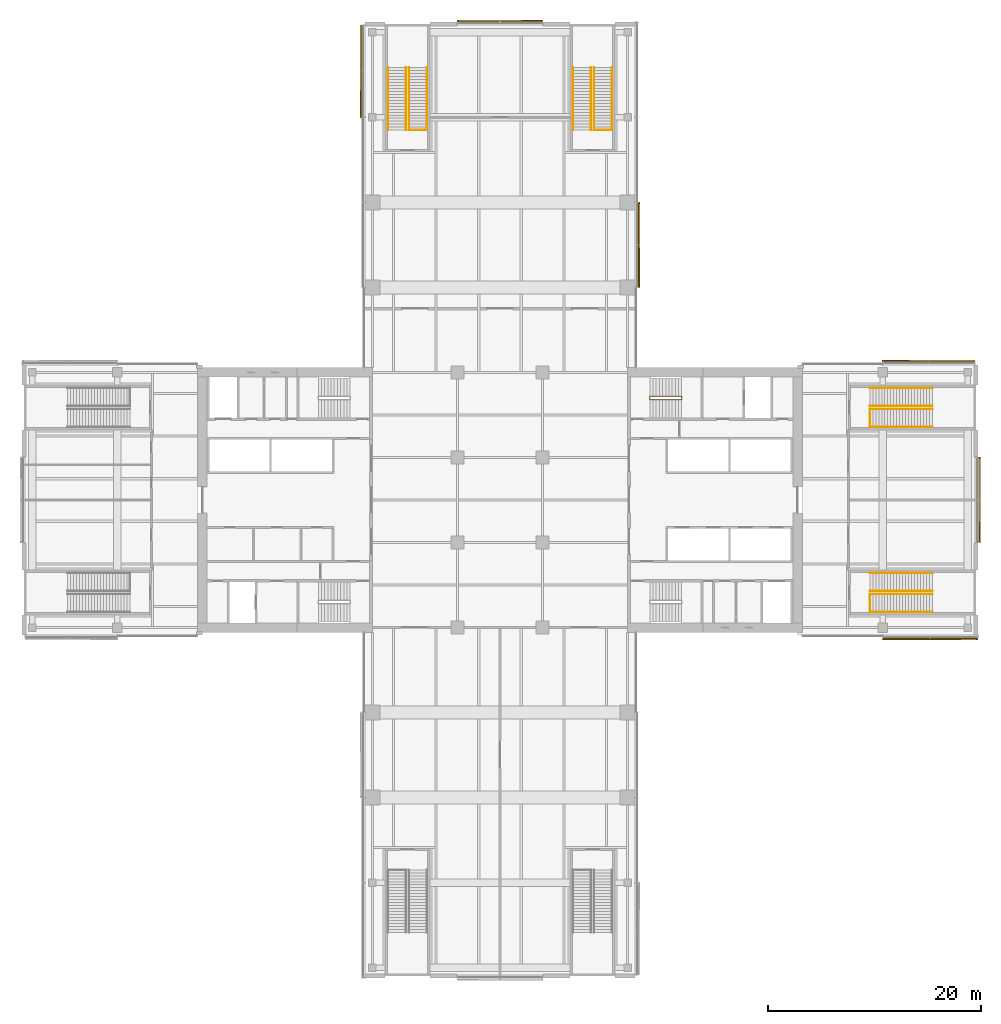
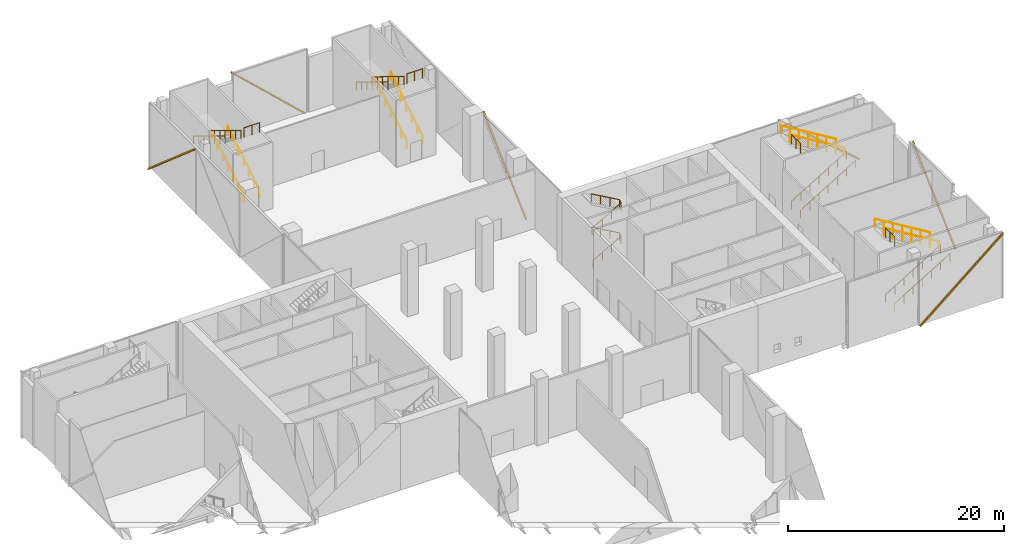
# One storey, part 25 of 25: 21 railings, 6 shading devices, 6 elements without a shape of their own.
"""IFC4 building model written with IfcOpenShell, lengths in metres."""

from ifc_helpers import new_model, si_unit, direction, frame, origin, origin_2d, place, context, subcontext, project, spatial, rectangle, circle, extrude, material, material_profile, profile_set, type_object, element, aggregate, save


model = new_model("IFC4")

# Units and contexts
model_context = context("Model", 3, precision=1e-05, world=origin(), true_north=direction((0.0, 1.0)))
body_context = subcontext(model_context, "Body", "Model", "MODEL_VIEW")
ifc_project = project(units=[si_unit("LENGTHUNIT", "METRE"), si_unit("AREAUNIT", "SQUARE_METRE"), si_unit("VOLUMEUNIT", "CUBIC_METRE"), si_unit("PLANEANGLEUNIT", "RADIAN"), si_unit("MASSUNIT", "GRAM", prefix="KILO")], contexts=[model_context])

# Site, building, storey
site_placement = place(None, origin())
site = spatial("IfcSite", under=ifc_project, at=site_placement, CompositionType="ELEMENT")
building_placement = place(site_placement, origin())
building = spatial("IfcBuilding", under=site, at=building_placement, Name="Crosswind Convention Tower", CompositionType="ELEMENT")
storey_placement = place(building_placement, frame((0.0, 0.0, 34.0)))
storey = spatial("IfcBuildingStorey", under=building, at=storey_placement, Name="L04", CompositionType="ELEMENT", Elevation=34.0)

# Railings
ifc_material_1 = material(Name="Stainless steel", Category="steel")
railing_type_1 = type_object("IfcRailingType", Name="STAIR GUARD 1100", PredefinedType="GUARDRAIL", material=ifc_material_1)
for number, where, name in (
    (1, (159.800048828125, 89.4599609375, 7.5), "Stair guard E1 L04"),
    (2, (159.800048828125, 106.860107421875, 7.5), "Stair guard E2 L04"),
):
    element("IfcRailing", number, at=place(storey_placement, frame(where)), inside=storey, type_object=railing_type_1, Name=name, PredefinedType="GUARDRAIL", context=body_context, shape_type="SweptSolid", body=[
        extrude(circle(Radius=0.02392578125, at=origin_2d()), frame((0.0, 0.0, 1.076171875), z_axis=(0.0, 1.0, 0.0), x_axis=(-1.0, 0.0, 0.0)), (0.0, 0.0, 1.0), 1.679931640625),
        extrude(circle(Radius=0.02099609375, at=origin_2d()), origin(), (0.0, 0.0, 1.0), 1.052001953125),
        extrude(circle(Radius=0.02099609375, at=origin_2d()), frame((0.0, 0.83984375, 0.0)), (0.0, 0.0, 1.0), 1.052001953125),
        extrude(circle(Radius=0.02099609375, at=origin_2d()), frame((0.0, 1.679931640625, 0.0)), (0.0, 0.0, 1.0), 1.052001953125),
    ])
for number, where, name in (
    (3, (118.139892578125, 134.800048828125, 7.5), "Stair guard N1 L04"),
    (4, (135.5400390625, 134.800048828125, 7.5), "Stair guard N2 L04"),
):
    element("IfcRailing", number, at=place(storey_placement, frame(where)), inside=storey, type_object=railing_type_1, Name=name, PredefinedType="GUARDRAIL", context=body_context, shape_type="SweptSolid", body=[
        extrude(circle(Radius=0.02392578125, at=origin_2d()), frame((0.0, 0.0, 1.076171875), z_axis=(-1.0, 0.0, 0.0), x_axis=(0.0, -1.0, 0.0)), (0.0, 0.0, 1.0), 1.679931640625),
        extrude(circle(Radius=0.02099609375, at=origin_2d()), origin(), (0.0, 0.0, 1.0), 1.052001953125),
        extrude(circle(Radius=0.02099609375, at=origin_2d()), frame((-0.83984375, 0.0, 0.0)), (0.0, 0.0, 1.0), 1.052001953125),
        extrude(circle(Radius=0.02099609375, at=origin_2d()), frame((-1.679931640625, 0.0, 0.0)), (0.0, 0.0, 1.0), 1.052001953125),
    ])
railing_type_2 = type_object("IfcRailingType", Name="STAIR HANDRAIL 900", PredefinedType="HANDRAIL", material=ifc_material_1)
for number, where, name in (
    (5, (159.800048828125, 89.4599609375, 0.17041015625), "Handrail E1 L04 1"),
    (6, (159.800048828125, 91.139892578125, 0.17041015625), "Handrail E1 L04 2"),
):
    element("IfcRailing", number, at=place(storey_placement, frame(where)), inside=storey, type_object=railing_type_2, Name=name, PredefinedType="HANDRAIL", context=body_context, shape_type="SweptSolid", body=[
        extrude(circle(Radius=0.02392578125, at=origin_2d()), frame((0.0, 0.0, 0.8759765625), z_axis=(0.854164310681, 0.0, 0.520003202259), x_axis=(0.0, 1.0, 0.0)), (0.0, 0.0, 1.0), 6.8837890625),
        extrude(circle(Radius=0.02099609375, at=origin_2d()), origin(), (0.0, 0.0, 1.0), 0.851806640625),
        extrude(circle(Radius=0.02099609375, at=origin_2d()), frame((0.97998046875, 0.0, 0.5966796875)), (0.0, 0.0, 1.0), 0.851806640625),
        extrude(circle(Radius=0.02099609375, at=origin_2d()), frame((1.9599609375, 0.0, 1.193115234375)), (0.0, 0.0, 1.0), 0.851806640625),
        extrude(circle(Radius=0.02099609375, at=origin_2d()), frame((2.93994140625, 0.0, 1.789794921875)), (0.0, 0.0, 1.0), 0.851806640625),
        extrude(circle(Radius=0.02099609375, at=origin_2d()), frame((3.919921875, 0.0, 2.386474609375)), (0.0, 0.0, 1.0), 0.851806640625),
        extrude(circle(Radius=0.02099609375, at=origin_2d()), frame((4.89990234375, 0.0, 2.98291015625)), (0.0, 0.0, 1.0), 0.851806640625),
        extrude(circle(Radius=0.02099609375, at=origin_2d()), frame((5.8798828125, 0.0, 3.57958984375)), (0.0, 0.0, 1.0), 0.851806640625),
    ])
for number, where, name in (
    (7, (165.679931640625, 91.4599609375, 3.92041015625), "Handrail E1 L04 3"),
    (8, (165.679931640625, 93.139892578125, 3.92041015625), "Handrail E1 L04 4"),
):
    element("IfcRailing", number, at=place(storey_placement, frame(where)), inside=storey, type_object=railing_type_2, Name=name, PredefinedType="HANDRAIL", context=body_context, shape_type="SweptSolid", body=[
        extrude(circle(Radius=0.02392578125, at=origin_2d()), frame((0.0, 0.0, 0.8759765625), z_axis=(-0.854164310681, 0.0, 0.520003202259), x_axis=(0.0, -1.0, 0.0)), (0.0, 0.0, 1.0), 6.8837890625),
        extrude(circle(Radius=0.02099609375, at=origin_2d()), origin(), (0.0, 0.0, 1.0), 0.851806640625),
        extrude(circle(Radius=0.02099609375, at=origin_2d()), frame((-0.97998046875, 0.0, 0.5966796875)), (0.0, 0.0, 1.0), 0.851806640625),
        extrude(circle(Radius=0.02099609375, at=origin_2d()), frame((-1.9599609375, 0.0, 1.193115234375)), (0.0, 0.0, 1.0), 0.851806640625),
        extrude(circle(Radius=0.02099609375, at=origin_2d()), frame((-2.93994140625, 0.0, 1.789794921875)), (0.0, 0.0, 1.0), 0.851806640625),
        extrude(circle(Radius=0.02099609375, at=origin_2d()), frame((-3.919921875, 0.0, 2.386474609375)), (0.0, 0.0, 1.0), 0.851806640625),
        extrude(circle(Radius=0.02099609375, at=origin_2d()), frame((-4.89990234375, 0.0, 2.98291015625)), (0.0, 0.0, 1.0), 0.851806640625),
        extrude(circle(Radius=0.02099609375, at=origin_2d()), frame((-5.8798828125, 0.0, 3.57958984375)), (0.0, 0.0, 1.0), 0.851806640625),
    ])
for number, where, name in (
    (9, (159.800048828125, 106.860107421875, 0.17041015625), "Handrail E2 L04 1"),
    (10, (159.800048828125, 108.5400390625, 0.17041015625), "Handrail E2 L04 2"),
):
    element("IfcRailing", number, at=place(storey_placement, frame(where)), inside=storey, type_object=railing_type_2, Name=name, PredefinedType="HANDRAIL", context=body_context, shape_type="SweptSolid", body=[
        extrude(circle(Radius=0.02392578125, at=origin_2d()), frame((0.0, 0.0, 0.8759765625), z_axis=(0.854164310681, 0.0, 0.520003202259), x_axis=(0.0, 1.0, 0.0)), (0.0, 0.0, 1.0), 6.8837890625),
        extrude(circle(Radius=0.02099609375, at=origin_2d()), origin(), (0.0, 0.0, 1.0), 0.851806640625),
        extrude(circle(Radius=0.02099609375, at=origin_2d()), frame((0.97998046875, 0.0, 0.5966796875)), (0.0, 0.0, 1.0), 0.851806640625),
        extrude(circle(Radius=0.02099609375, at=origin_2d()), frame((1.9599609375, 0.0, 1.193115234375)), (0.0, 0.0, 1.0), 0.851806640625),
        extrude(circle(Radius=0.02099609375, at=origin_2d()), frame((2.93994140625, 0.0, 1.789794921875)), (0.0, 0.0, 1.0), 0.851806640625),
        extrude(circle(Radius=0.02099609375, at=origin_2d()), frame((3.919921875, 0.0, 2.386474609375)), (0.0, 0.0, 1.0), 0.851806640625),
        extrude(circle(Radius=0.02099609375, at=origin_2d()), frame((4.89990234375, 0.0, 2.98291015625)), (0.0, 0.0, 1.0), 0.851806640625),
        extrude(circle(Radius=0.02099609375, at=origin_2d()), frame((5.8798828125, 0.0, 3.57958984375)), (0.0, 0.0, 1.0), 0.851806640625),
    ])
for number, where, name in (
    (11, (165.679931640625, 108.860107421875, 3.92041015625), "Handrail E2 L04 3"),
    (12, (165.679931640625, 110.5400390625, 3.92041015625), "Handrail E2 L04 4"),
):
    element("IfcRailing", number, at=place(storey_placement, frame(where)), inside=storey, type_object=railing_type_2, Name=name, PredefinedType="HANDRAIL", context=body_context, shape_type="SweptSolid", body=[
        extrude(circle(Radius=0.02392578125, at=origin_2d()), frame((0.0, 0.0, 0.8759765625), z_axis=(-0.854164310681, 0.0, 0.520003202259), x_axis=(0.0, -1.0, 0.0)), (0.0, 0.0, 1.0), 6.8837890625),
        extrude(circle(Radius=0.02099609375, at=origin_2d()), origin(), (0.0, 0.0, 1.0), 0.851806640625),
        extrude(circle(Radius=0.02099609375, at=origin_2d()), frame((-0.97998046875, 0.0, 0.5966796875)), (0.0, 0.0, 1.0), 0.851806640625),
        extrude(circle(Radius=0.02099609375, at=origin_2d()), frame((-1.9599609375, 0.0, 1.193115234375)), (0.0, 0.0, 1.0), 0.851806640625),
        extrude(circle(Radius=0.02099609375, at=origin_2d()), frame((-2.93994140625, 0.0, 1.789794921875)), (0.0, 0.0, 1.0), 0.851806640625),
        extrude(circle(Radius=0.02099609375, at=origin_2d()), frame((-3.919921875, 0.0, 2.386474609375)), (0.0, 0.0, 1.0), 0.851806640625),
        extrude(circle(Radius=0.02099609375, at=origin_2d()), frame((-4.89990234375, 0.0, 2.98291015625)), (0.0, 0.0, 1.0), 0.851806640625),
        extrude(circle(Radius=0.02099609375, at=origin_2d()), frame((-5.8798828125, 0.0, 3.57958984375)), (0.0, 0.0, 1.0), 0.851806640625),
    ])
for number, where, name in (
    (13, (118.139892578125, 134.800048828125, 0.17041015625), "Handrail N1 L04 1"),
    (14, (116.4599609375, 134.800048828125, 0.17041015625), "Handrail N1 L04 2"),
):
    element("IfcRailing", number, at=place(storey_placement, frame(where)), inside=storey, type_object=railing_type_2, Name=name, PredefinedType="HANDRAIL", context=body_context, shape_type="SweptSolid", body=[
        extrude(circle(Radius=0.02392578125, at=origin_2d()), frame((0.0, 0.0, 0.8759765625), z_axis=(0.0, 0.854164310681, 0.520003202259), x_axis=(-1.0, 0.0, 0.0)), (0.0, 0.0, 1.0), 6.8837890625),
        extrude(circle(Radius=0.02099609375, at=origin_2d()), origin(), (0.0, 0.0, 1.0), 0.851806640625),
        extrude(circle(Radius=0.02099609375, at=origin_2d()), frame((0.0, 0.97998046875, 0.5966796875)), (0.0, 0.0, 1.0), 0.851806640625),
        extrude(circle(Radius=0.02099609375, at=origin_2d()), frame((0.0, 1.9599609375, 1.193115234375)), (0.0, 0.0, 1.0), 0.851806640625),
        extrude(circle(Radius=0.02099609375, at=origin_2d()), frame((0.0, 2.93994140625, 1.789794921875)), (0.0, 0.0, 1.0), 0.851806640625),
        extrude(circle(Radius=0.02099609375, at=origin_2d()), frame((0.0, 3.919921875, 2.386474609375)), (0.0, 0.0, 1.0), 0.851806640625),
        extrude(circle(Radius=0.02099609375, at=origin_2d()), frame((0.0, 4.89990234375, 2.98291015625)), (0.0, 0.0, 1.0), 0.851806640625),
        extrude(circle(Radius=0.02099609375, at=origin_2d()), frame((0.0, 5.8798828125, 3.57958984375)), (0.0, 0.0, 1.0), 0.851806640625),
    ])
for number, where, name in (
    (15, (116.139892578125, 140.679931640625, 3.92041015625), "Handrail N1 L04 3"),
    (16, (114.4599609375, 140.679931640625, 3.92041015625), "Handrail N1 L04 4"),
):
    element("IfcRailing", number, at=place(storey_placement, frame(where)), inside=storey, type_object=railing_type_2, Name=name, PredefinedType="HANDRAIL", context=body_context, shape_type="SweptSolid", body=[
        extrude(circle(Radius=0.02392578125, at=origin_2d()), frame((0.0, 0.0, 0.8759765625), z_axis=(0.0, -0.854164310681, 0.520003202259), x_axis=(1.0, 0.0, 0.0)), (0.0, 0.0, 1.0), 6.8837890625),
        extrude(circle(Radius=0.02099609375, at=origin_2d()), origin(), (0.0, 0.0, 1.0), 0.851806640625),
        extrude(circle(Radius=0.02099609375, at=origin_2d()), frame((0.0, -0.97998046875, 0.5966796875)), (0.0, 0.0, 1.0), 0.851806640625),
        extrude(circle(Radius=0.02099609375, at=origin_2d()), frame((0.0, -1.9599609375, 1.193115234375)), (0.0, 0.0, 1.0), 0.851806640625),
        extrude(circle(Radius=0.02099609375, at=origin_2d()), frame((0.0, -2.93994140625, 1.789794921875)), (0.0, 0.0, 1.0), 0.851806640625),
        extrude(circle(Radius=0.02099609375, at=origin_2d()), frame((0.0, -3.919921875, 2.386474609375)), (0.0, 0.0, 1.0), 0.851806640625),
        extrude(circle(Radius=0.02099609375, at=origin_2d()), frame((0.0, -4.89990234375, 2.98291015625)), (0.0, 0.0, 1.0), 0.851806640625),
        extrude(circle(Radius=0.02099609375, at=origin_2d()), frame((0.0, -5.8798828125, 3.57958984375)), (0.0, 0.0, 1.0), 0.851806640625),
    ])
for number, where, name in (
    (17, (135.5400390625, 134.800048828125, 0.17041015625), "Handrail N2 L04 1"),
    (18, (133.860107421875, 134.800048828125, 0.17041015625), "Handrail N2 L04 2"),
):
    element("IfcRailing", number, at=place(storey_placement, frame(where)), inside=storey, type_object=railing_type_2, Name=name, PredefinedType="HANDRAIL", context=body_context, shape_type="SweptSolid", body=[
        extrude(circle(Radius=0.02392578125, at=origin_2d()), frame((0.0, 0.0, 0.8759765625), z_axis=(0.0, 0.854164310681, 0.520003202259), x_axis=(-1.0, 0.0, 0.0)), (0.0, 0.0, 1.0), 6.8837890625),
        extrude(circle(Radius=0.02099609375, at=origin_2d()), origin(), (0.0, 0.0, 1.0), 0.851806640625),
        extrude(circle(Radius=0.02099609375, at=origin_2d()), frame((0.0, 0.97998046875, 0.5966796875)), (0.0, 0.0, 1.0), 0.851806640625),
        extrude(circle(Radius=0.02099609375, at=origin_2d()), frame((0.0, 1.9599609375, 1.193115234375)), (0.0, 0.0, 1.0), 0.851806640625),
        extrude(circle(Radius=0.02099609375, at=origin_2d()), frame((0.0, 2.93994140625, 1.789794921875)), (0.0, 0.0, 1.0), 0.851806640625),
        extrude(circle(Radius=0.02099609375, at=origin_2d()), frame((0.0, 3.919921875, 2.386474609375)), (0.0, 0.0, 1.0), 0.851806640625),
        extrude(circle(Radius=0.02099609375, at=origin_2d()), frame((0.0, 4.89990234375, 2.98291015625)), (0.0, 0.0, 1.0), 0.851806640625),
        extrude(circle(Radius=0.02099609375, at=origin_2d()), frame((0.0, 5.8798828125, 3.57958984375)), (0.0, 0.0, 1.0), 0.851806640625),
    ])
for number, where, name in (
    (19, (133.5400390625, 140.679931640625, 3.92041015625), "Handrail N2 L04 3"),
    (20, (131.860107421875, 140.679931640625, 3.92041015625), "Handrail N2 L04 4"),
):
    element("IfcRailing", number, at=place(storey_placement, frame(where)), inside=storey, type_object=railing_type_2, Name=name, PredefinedType="HANDRAIL", context=body_context, shape_type="SweptSolid", body=[
        extrude(circle(Radius=0.02392578125, at=origin_2d()), frame((0.0, 0.0, 0.8759765625), z_axis=(0.0, -0.854164310681, 0.520003202259), x_axis=(1.0, 0.0, 0.0)), (0.0, 0.0, 1.0), 6.8837890625),
        extrude(circle(Radius=0.02099609375, at=origin_2d()), origin(), (0.0, 0.0, 1.0), 0.851806640625),
        extrude(circle(Radius=0.02099609375, at=origin_2d()), frame((0.0, -0.97998046875, 0.5966796875)), (0.0, 0.0, 1.0), 0.851806640625),
        extrude(circle(Radius=0.02099609375, at=origin_2d()), frame((0.0, -1.9599609375, 1.193115234375)), (0.0, 0.0, 1.0), 0.851806640625),
        extrude(circle(Radius=0.02099609375, at=origin_2d()), frame((0.0, -2.93994140625, 1.789794921875)), (0.0, 0.0, 1.0), 0.851806640625),
        extrude(circle(Radius=0.02099609375, at=origin_2d()), frame((0.0, -3.919921875, 2.386474609375)), (0.0, 0.0, 1.0), 0.851806640625),
        extrude(circle(Radius=0.02099609375, at=origin_2d()), frame((0.0, -4.89990234375, 2.98291015625)), (0.0, 0.0, 1.0), 0.851806640625),
        extrude(circle(Radius=0.02099609375, at=origin_2d()), frame((0.0, -5.8798828125, 3.57958984375)), (0.0, 0.0, 1.0), 0.851806640625),
    ])
railing_type_3 = type_object("IfcRailingType", Name="Stair handrail 900", PredefinedType="HANDRAIL", material=ifc_material_1)
railing_placement = place(storey_placement, frame((139.10009765625, 109.43994140625, 0.17041015625)))
element("IfcRailing", 21, at=railing_placement, inside=storey, type_object=railing_type_3, Name="Stair ST1 handrail L04", PredefinedType="HANDRAIL", context=body_context, shape_type="SweptSolid", body=[
    extrude(circle(Radius=0.02392578125, at=origin_2d()), frame((0.0, 0.0, 0.8759765625), z_axis=(0.869451031676, 0.0, 0.494019132744), x_axis=(0.0, 1.0, 0.0)), (0.0, 0.0, 1.0), 3.450439453125),
    extrude(circle(Radius=0.02392578125, at=origin_2d()), frame((3.0, 0.0, 2.58056640625), z_axis=(0.0, 0.882688199001, 0.469959086883), x_axis=(-1.0, 0.0, 0.0)), (0.0, 0.0, 1.0), 0.362548828125),
    extrude(circle(Radius=0.02392578125, at=origin_2d()), frame((3.0, 0.320068359375, 2.7509765625), z_axis=(-0.869451031676, 0.0, 0.494019132744), x_axis=(0.0, -1.0, 0.0)), (0.0, 0.0, 1.0), 3.450439453125),
    extrude(circle(Radius=0.02392578125, at=origin_2d()), frame((0.0, 0.320068359375, 4.45556640625), z_axis=(0.0, -0.882688199001, 0.469959086883), x_axis=(1.0, 0.0, 0.0)), (0.0, 0.0, 1.0), 0.362548828125),
    extrude(circle(Radius=0.02392578125, at=origin_2d()), frame((0.0, 0.0, 4.6259765625), z_axis=(0.869451031676, 0.0, 0.494019132744), x_axis=(0.0, 1.0, 0.0)), (0.0, 0.0, 1.0), 3.450439453125),
    extrude(circle(Radius=0.02392578125, at=origin_2d()), frame((3.0, 0.0, 6.33056640625), z_axis=(0.0, 0.882688199001, 0.469959086883), x_axis=(-1.0, 0.0, 0.0)), (0.0, 0.0, 1.0), 0.362548828125),
    extrude(circle(Radius=0.02392578125, at=origin_2d()), frame((3.0, 0.320068359375, 6.5009765625), z_axis=(-0.869451031676, 0.0, 0.494019132744), x_axis=(0.0, -1.0, 0.0)), (0.0, 0.0, 1.0), 3.450439453125),
    extrude(circle(Radius=0.02099609375, at=origin_2d()), origin(), (0.0, 0.0, 1.0), 0.851806640625),
    extrude(circle(Radius=0.02099609375, at=origin_2d()), frame((1.0, 0.0, 0.568115234375)), (0.0, 0.0, 1.0), 0.851806640625),
    extrude(circle(Radius=0.02099609375, at=origin_2d()), frame((2.0, 0.0, 1.136474609375)), (0.0, 0.0, 1.0), 0.851806640625),
    extrude(circle(Radius=0.02099609375, at=origin_2d()), frame((3.0, 0.0, 1.70458984375)), (0.0, 0.0, 1.0), 0.851806640625),
    extrude(circle(Radius=0.02099609375, at=origin_2d()), frame((3.0, 0.320068359375, 1.875)), (0.0, 0.0, 1.0), 0.851806640625),
    extrude(circle(Radius=0.02099609375, at=origin_2d()), frame((2.0, 0.320068359375, 2.443115234375)), (0.0, 0.0, 1.0), 0.851806640625),
    extrude(circle(Radius=0.02099609375, at=origin_2d()), frame((1.0, 0.320068359375, 3.011474609375)), (0.0, 0.0, 1.0), 0.851806640625),
    extrude(circle(Radius=0.02099609375, at=origin_2d()), frame((0.0, 0.320068359375, 3.57958984375)), (0.0, 0.0, 1.0), 0.851806640625),
    extrude(circle(Radius=0.02099609375, at=origin_2d()), frame((0.0, 0.0, 3.75)), (0.0, 0.0, 1.0), 0.851806640625),
    extrude(circle(Radius=0.02099609375, at=origin_2d()), frame((1.0, 0.0, 4.318115234375)), (0.0, 0.0, 1.0), 0.851806640625),
    extrude(circle(Radius=0.02099609375, at=origin_2d()), frame((2.0, 0.0, 4.886474609375)), (0.0, 0.0, 1.0), 0.851806640625),
    extrude(circle(Radius=0.02099609375, at=origin_2d()), frame((3.0, 0.0, 5.45458984375)), (0.0, 0.0, 1.0), 0.851806640625),
    extrude(circle(Radius=0.02099609375, at=origin_2d()), frame((3.0, 0.320068359375, 5.625)), (0.0, 0.0, 1.0), 0.851806640625),
    extrude(circle(Radius=0.02099609375, at=origin_2d()), frame((2.0, 0.320068359375, 6.193115234375)), (0.0, 0.0, 1.0), 0.851806640625),
    extrude(circle(Radius=0.02099609375, at=origin_2d()), frame((1.0, 0.320068359375, 6.761474609375)), (0.0, 0.0, 1.0), 0.851806640625),
    extrude(circle(Radius=0.02099609375, at=origin_2d()), frame((0.0, 0.320068359375, 7.32958984375)), (0.0, 0.0, 1.0), 0.851806640625),
])

# Curtain wall, shading device
ifc_material_2 = material(Name="Aluminium unitised curtain wall", Category="aluminium")
curtain_wall_type = type_object("IfcCurtainWallType", Name="PODIUM UNITISED WALL 300", PredefinedType="USERDEFINED", material=ifc_material_2)
curtain_wall_1_placement = place(storey_placement, origin())
curtain_wall_1 = element("IfcCurtainWall", 22, at=curtain_wall_1_placement, inside=storey, type_object=curtain_wall_type, Name="CW1 L04 E-TIP 1", ObjectType="UNITISED", PredefinedType="USERDEFINED")
ifc_material_3 = material(Name="Extruded terracotta", Category="masonry")
ifc_material_profile = material_profile(ifc_material_3, rectangle(XDim=0.139892578125, YDim=0.159912109375, at=origin_2d()), Name="TC 140X160")
ifc_profile_set = profile_set([ifc_material_profile], Name="Extruded terracotta")
shading_device_type = type_object("IfcShadingDeviceType", Name="TERRACOTTA BAGUETTE 160X140", PredefinedType="USERDEFINED", material=ifc_profile_set)
shading_device_1_placement = place(storey_placement, frame((170.093994140625, 96.0400390625, -0.39990234375), z_axis=(0.0, 0.72976726653, 0.683695646251), x_axis=(-1.0, 0.0, 0.0)))
shading_device_1 = element("IfcShadingDevice", 23, at=shading_device_1_placement, type_object=shading_device_type, Name="CW1 terracotta baguette 1", ObjectType="BAGUETTE", PredefinedType="USERDEFINED", context=body_context, shape_type="SweptSolid", body=[
    extrude(rectangle(XDim=0.139892578125, YDim=0.159912109375, at=origin_2d()), origin(), (0.0, 0.0, 1.0), 10.852783203125),
])
aggregate(curtain_wall_1, [shading_device_1])

curtain_wall_2_placement = place(storey_placement, origin())
curtain_wall_2 = element("IfcCurtainWall", 24, at=curtain_wall_2_placement, inside=storey, type_object=curtain_wall_type, Name="CW1 L04 E-N 1", ObjectType="UNITISED", PredefinedType="USERDEFINED")
shading_device_2_placement = place(storey_placement, frame((169.6201171875, 113.093994140625, -0.39990234375), z_axis=(-0.756393103747, 0.0, 0.654117323272), x_axis=(0.0, -1.0, 0.0)))
shading_device_2 = element("IfcShadingDevice", 25, at=shading_device_2_placement, type_object=shading_device_type, Name="CW1 terracotta baguette 1", ObjectType="BAGUETTE", PredefinedType="USERDEFINED", context=body_context, shape_type="SweptSolid", body=[
    extrude(rectangle(XDim=0.139892578125, YDim=0.159912109375, at=origin_2d()), origin(), (0.0, 0.0, 1.0), 11.343505859375),
])
aggregate(curtain_wall_2, [shading_device_2])

curtain_wall_3_placement = place(storey_placement, origin())
curtain_wall_3 = element("IfcCurtainWall", 26, at=curtain_wall_3_placement, inside=storey, type_object=curtain_wall_type, Name="CW1 L04 N-E 1", ObjectType="UNITISED", PredefinedType="USERDEFINED")
shading_device_3_placement = place(storey_placement, frame((138.093994140625, 120.0400390625, -0.39990234375), z_axis=(0.0, 0.72976726653, 0.683695646251), x_axis=(-1.0, 0.0, 0.0)))
shading_device_3 = element("IfcShadingDevice", 27, at=shading_device_3_placement, type_object=shading_device_type, Name="CW1 terracotta baguette 1", ObjectType="BAGUETTE", PredefinedType="USERDEFINED", context=body_context, shape_type="SweptSolid", body=[
    extrude(rectangle(XDim=0.139892578125, YDim=0.159912109375, at=origin_2d()), origin(), (0.0, 0.0, 1.0), 10.852783203125),
])
aggregate(curtain_wall_3, [shading_device_3])

curtain_wall_4_placement = place(storey_placement, origin())
curtain_wall_4 = element("IfcCurtainWall", 28, at=curtain_wall_4_placement, inside=storey, type_object=curtain_wall_type, Name="CW1 L04 N-TIP 1", ObjectType="UNITISED", PredefinedType="USERDEFINED")
shading_device_4_placement = place(storey_placement, frame((128.9599609375, 145.093994140625, -0.39990234375), z_axis=(-0.72976726653, 0.0, 0.683695646251), x_axis=(0.0, -1.0, 0.0)))
shading_device_4 = element("IfcShadingDevice", 29, at=shading_device_4_placement, type_object=shading_device_type, Name="CW1 terracotta baguette 1", ObjectType="BAGUETTE", PredefinedType="USERDEFINED", context=body_context, shape_type="SweptSolid", body=[
    extrude(rectangle(XDim=0.139892578125, YDim=0.159912109375, at=origin_2d()), origin(), (0.0, 0.0, 1.0), 10.852783203125),
])
aggregate(curtain_wall_4, [shading_device_4])

curtain_wall_5_placement = place(storey_placement, origin())
curtain_wall_5 = element("IfcCurtainWall", 30, at=curtain_wall_5_placement, inside=storey, type_object=curtain_wall_type, Name="CW1 L04 N-W 1", ObjectType="UNITISED", PredefinedType="USERDEFINED")
shading_device_5_placement = place(storey_placement, frame((111.906005859375, 144.6201171875, -0.39990234375), z_axis=(0.0, -0.756393103747, 0.654117323272), x_axis=(1.0, 0.0, 0.0)))
shading_device_5 = element("IfcShadingDevice", 31, at=shading_device_5_placement, type_object=shading_device_type, Name="CW1 terracotta baguette 1", ObjectType="BAGUETTE", PredefinedType="USERDEFINED", context=body_context, shape_type="SweptSolid", body=[
    extrude(rectangle(XDim=0.139892578125, YDim=0.159912109375, at=origin_2d()), origin(), (0.0, 0.0, 1.0), 11.343505859375),
])
aggregate(curtain_wall_5, [shading_device_5])

curtain_wall_6_placement = place(storey_placement, origin())
curtain_wall_6 = element("IfcCurtainWall", 32, at=curtain_wall_6_placement, inside=storey, type_object=curtain_wall_type, Name="CW1 L04 E-S 2", ObjectType="UNITISED", PredefinedType="USERDEFINED")
shading_device_6_placement = place(storey_placement, frame((161.0400390625, 86.906005859375, -0.39990234375), z_axis=(0.766839858271, 0.0, 0.641838477942), x_axis=(0.0, 1.0, 0.0)))
shading_device_6 = element("IfcShadingDevice", 33, at=shading_device_6_placement, type_object=shading_device_type, Name="CW1 terracotta baguette 1", ObjectType="BAGUETTE", PredefinedType="USERDEFINED", context=body_context, shape_type="SweptSolid", body=[
    extrude(rectangle(XDim=0.139892578125, YDim=0.159912109375, at=origin_2d()), origin(), (0.0, 0.0, 1.0), 11.560302734375),
])
aggregate(curtain_wall_6, [shading_device_6])

save(model, "model.ifc")
